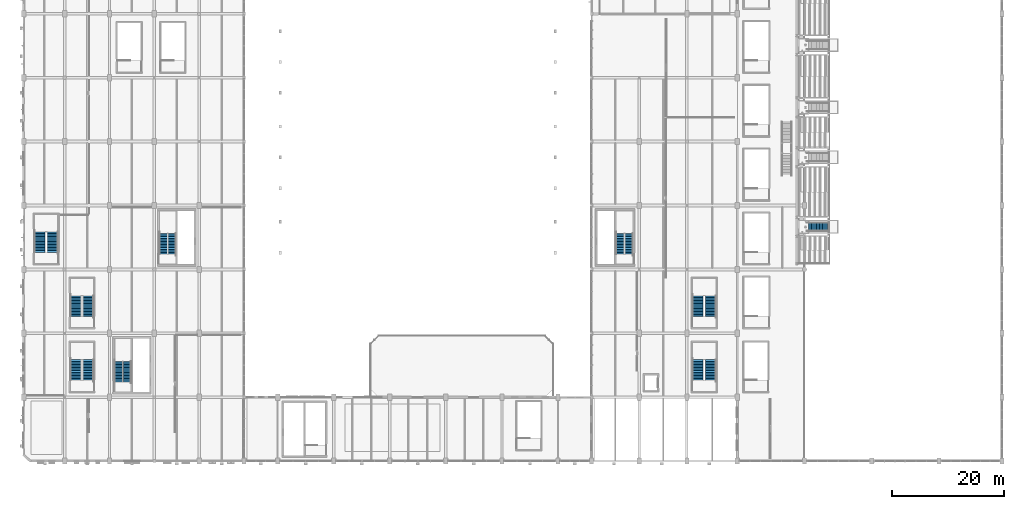
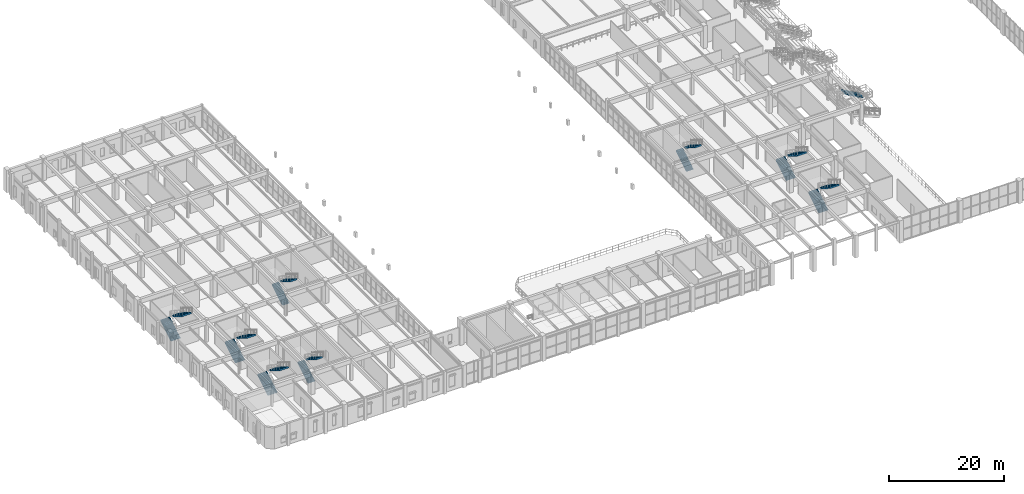
# One storey, part 89 of 106: 17 stair flights, 9 elements without a shape of their own.
"""IFC4 building model written with IfcOpenShell, lengths in metres."""

from ifc_helpers import new_model, si_unit, direction, frame, origin, place, context, subcontext, project, spatial, polyline, outline, extrude, material, type_object, element, aggregate, save


model = new_model("IFC4")

# Units and contexts
model_context = context("Model", 3, precision=1e-05, world=origin(), true_north=direction((0.0, 1.0)))
body_context = subcontext(model_context, "Body", "Model", "MODEL_VIEW")
ifc_project = project(units=[si_unit("LENGTHUNIT", "METRE"), si_unit("AREAUNIT", "SQUARE_METRE"), si_unit("VOLUMEUNIT", "CUBIC_METRE"), si_unit("PLANEANGLEUNIT", "RADIAN"), si_unit("MASSUNIT", "GRAM", prefix="KILO"), si_unit("POWERUNIT", "WATT"), si_unit("THERMODYNAMICTEMPERATUREUNIT", "KELVIN")], contexts=[model_context])

# Site, building, storey
site_placement = place(None, origin())
site = spatial("IfcSite", under=ifc_project, at=site_placement, CompositionType="ELEMENT")
building_placement = place(site_placement, origin())
building = spatial("IfcBuilding", under=site, at=building_placement, Name="Kelmbourne Parkland Aquatics Centre", CompositionType="ELEMENT")
storey_placement = place(building_placement, frame((0.0, 0.0, 5.39990234375)))
storey = spatial("IfcBuildingStorey", under=building, at=storey_placement, Name="L01", CompositionType="ELEMENT", Elevation=5.39990234375)

# Stair, stair flights
ifc_material = material(Name="Concrete C40/50", Category="concrete")
stair_type_1 = type_object("IfcStairType", Name="ST-T03", PredefinedType="HALF_TURN_STAIR", material=ifc_material)
stair_1_placement = place(storey_placement, origin())
stair_1 = element("IfcStair", 1, at=stair_1_placement, inside=storey, type_object=stair_type_1, Name="West Wing South Fire-Fighting Core Stair ST01 (L01)", PredefinedType="HALF_TURN_STAIR")
stair_flight_type_1 = type_object("IfcStairFlightType", Name="STF-T03", PredefinedType="STRAIGHT", material=ifc_material)
stair_flight_1_placement = place(storey_placement, frame((17.61376953125, 14.949951171875, 0.0), z_axis=(0.0, 0.0, 1.0), x_axis=(0.0, 1.0, 0.0)))
stair_flight_1 = element("IfcStairFlight", 2, at=stair_flight_1_placement, type_object=stair_flight_type_1, Name="West Wing South Fire-Fighting Core Stair ST01 lower flight (L01)", NumberOfRisers=14, NumberOfTreads=13, PredefinedType="STRAIGHT", RiserHeight=0.171429, TreadLength=0.28, context=body_context, shape_type="SweptSolid", body=[
    extrude(outline(polyline([(-0.008056640625, 0.0), (-0.008056640625, 0.034912109375), (0.0, 0.034912109375), (0.0, 0.17138671875), (0.280029296875, 0.17138671875), (0.280029296875, 0.3427734375), (0.56005859375, 0.3427734375), (0.56005859375, 0.514404296875), (0.840087890625, 0.514404296875), (0.840087890625, 0.685791015625), (1.1201171875, 0.685791015625), (1.1201171875, 0.857177734375), (1.39990234375, 0.857177734375), (1.39990234375, 1.028564453125), (1.679931640625, 1.028564453125), (1.679931640625, 1.199951171875), (1.9599609375, 1.199951171875), (1.9599609375, 1.371337890625), (2.239990234375, 1.371337890625), (2.239990234375, 1.54296875), (2.52001953125, 1.54296875), (2.52001953125, 1.71435546875), (2.800048828125, 1.71435546875), (2.800048828125, 1.8857421875), (3.080078125, 1.8857421875), (3.080078125, 2.05712890625), (3.360107421875, 2.05712890625), (3.360107421875, 2.228515625), (3.639892578125, 2.228515625), (3.639892578125, 2.39990234375), (3.64794921875, 2.39990234375), (3.64794921875, 2.260009765625), (3.639892578125, 2.041015625), (0.30615234375, 0.0), (-0.008056640625, 0.0)])), frame((0.0, 0.69384765625, 0.0), z_axis=(0.0, -1.0, 0.0), x_axis=(1.0, 0.0, 0.0)), (0.0, 0.0, 1.0), 1.387451171875),
])
stair_flight_2_placement = place(storey_placement, frame((19.1611328125, 18.590087890625, 2.400146484375), z_axis=(0.0, 0.0, 1.0), x_axis=(0.0, -1.0, 0.0)))
stair_flight_2 = element("IfcStairFlight", 3, at=stair_flight_2_placement, type_object=stair_flight_type_1, Name="West Wing South Fire-Fighting Core Stair ST01 upper flight (L01)", NumberOfRisers=14, NumberOfTreads=13, PredefinedType="STRAIGHT", RiserHeight=0.171429, TreadLength=0.28, context=body_context, shape_type="SweptSolid", body=[
    extrude(outline(polyline([(-0.008056640625, 0.0), (-0.008056640625, 0.034912109375), (0.0, 0.034912109375), (0.0, 0.17138671875), (0.280029296875, 0.17138671875), (0.280029296875, 0.3427734375), (0.56005859375, 0.3427734375), (0.56005859375, 0.514404296875), (0.840087890625, 0.514404296875), (0.840087890625, 0.685791015625), (1.1201171875, 0.685791015625), (1.1201171875, 0.857177734375), (1.39990234375, 0.857177734375), (1.39990234375, 1.028564453125), (1.679931640625, 1.028564453125), (1.679931640625, 1.199951171875), (1.9599609375, 1.199951171875), (1.9599609375, 1.371337890625), (2.239990234375, 1.371337890625), (2.239990234375, 1.54296875), (2.52001953125, 1.54296875), (2.52001953125, 1.71435546875), (2.800048828125, 1.71435546875), (2.800048828125, 1.8857421875), (3.080078125, 1.8857421875), (3.080078125, 2.05712890625), (3.360107421875, 2.05712890625), (3.360107421875, 2.228515625), (3.639892578125, 2.228515625), (3.639892578125, 2.39990234375), (3.64794921875, 2.39990234375), (3.64794921875, 2.260009765625), (3.639892578125, 2.041015625), (0.30615234375, 0.0), (-0.008056640625, 0.0)])), frame((0.0, 0.69384765625, 0.0), z_axis=(0.0, -1.0, 0.0), x_axis=(1.0, 0.0, 0.0)), (0.0, 0.0, 1.0), 1.387451171875),
])
aggregate(stair_1, [stair_flight_1, stair_flight_2])

stair_type_2 = type_object("IfcStairType", Name="ST-T08", PredefinedType="HALF_TURN_STAIR", material=ifc_material)
stair_2_placement = place(storey_placement, origin())
stair_2 = element("IfcStair", 4, at=stair_2_placement, inside=storey, type_object=stair_type_2, Name="West Wing North Passenger Core Stair ST02 (L01)", PredefinedType="HALF_TURN_STAIR")
stair_flight_type_2 = type_object("IfcStairFlightType", Name="STF-T08", PredefinedType="STRAIGHT", material=ifc_material)
stair_flight_3_placement = place(storey_placement, frame((25.61376953125, 37.75, 0.0), z_axis=(0.0, 0.0, 1.0), x_axis=(0.0, 1.0, 0.0)))
stair_flight_3 = element("IfcStairFlight", 5, at=stair_flight_3_placement, type_object=stair_flight_type_2, Name="West Wing North Passenger Core Stair ST02 lower flight (L01)", NumberOfRisers=14, NumberOfTreads=13, PredefinedType="STRAIGHT", RiserHeight=0.171429, TreadLength=0.28, context=body_context, shape_type="SweptSolid", body=[
    extrude(outline(polyline([(-0.008056640625, 0.0), (-0.008056640625, 0.034912109375), (0.0, 0.034912109375), (0.0, 0.17138671875), (0.280029296875, 0.17138671875), (0.280029296875, 0.3427734375), (0.56005859375, 0.3427734375), (0.56005859375, 0.514404296875), (0.840087890625, 0.514404296875), (0.840087890625, 0.685791015625), (1.1201171875, 0.685791015625), (1.1201171875, 0.857177734375), (1.39990234375, 0.857177734375), (1.39990234375, 1.028564453125), (1.679931640625, 1.028564453125), (1.679931640625, 1.199951171875), (1.9599609375, 1.199951171875), (1.9599609375, 1.371337890625), (2.239990234375, 1.371337890625), (2.239990234375, 1.54296875), (2.52001953125, 1.54296875), (2.52001953125, 1.71435546875), (2.800048828125, 1.71435546875), (2.800048828125, 1.8857421875), (3.080078125, 1.8857421875), (3.080078125, 2.05712890625), (3.360107421875, 2.05712890625), (3.360107421875, 2.228515625), (3.639892578125, 2.228515625), (3.639892578125, 2.39990234375), (3.64794921875, 2.39990234375), (3.64794921875, 2.260009765625), (3.639892578125, 2.041015625), (0.30615234375, 0.0), (-0.008056640625, 0.0)])), frame((0.0, 0.69384765625, 0.0), z_axis=(0.0, -1.0, 0.0), x_axis=(1.0, 0.0, 0.0)), (0.0, 0.0, 1.0), 1.387451171875),
])
stair_flight_4_placement = place(storey_placement, frame((27.1611328125, 41.389892578125, 2.400146484375), z_axis=(0.0, 0.0, 1.0), x_axis=(0.0, -1.0, 0.0)))
stair_flight_4 = element("IfcStairFlight", 6, at=stair_flight_4_placement, type_object=stair_flight_type_2, Name="West Wing North Passenger Core Stair ST02 upper flight (L01)", NumberOfRisers=14, NumberOfTreads=13, PredefinedType="STRAIGHT", RiserHeight=0.171429, TreadLength=0.28, context=body_context, shape_type="SweptSolid", body=[
    extrude(outline(polyline([(-0.008056640625, 0.0), (-0.008056640625, 0.034912109375), (0.0, 0.034912109375), (0.0, 0.17138671875), (0.280029296875, 0.17138671875), (0.280029296875, 0.3427734375), (0.56005859375, 0.3427734375), (0.56005859375, 0.514404296875), (0.840087890625, 0.514404296875), (0.840087890625, 0.685791015625), (1.1201171875, 0.685791015625), (1.1201171875, 0.857177734375), (1.39990234375, 0.857177734375), (1.39990234375, 1.028564453125), (1.679931640625, 1.028564453125), (1.679931640625, 1.199951171875), (1.9599609375, 1.199951171875), (1.9599609375, 1.371337890625), (2.239990234375, 1.371337890625), (2.239990234375, 1.54296875), (2.52001953125, 1.54296875), (2.52001953125, 1.71435546875), (2.800048828125, 1.71435546875), (2.800048828125, 1.8857421875), (3.080078125, 1.8857421875), (3.080078125, 2.05712890625), (3.360107421875, 2.05712890625), (3.360107421875, 2.228515625), (3.639892578125, 2.228515625), (3.639892578125, 2.39990234375), (3.64794921875, 2.39990234375), (3.64794921875, 2.260009765625), (3.639892578125, 2.041015625), (0.30615234375, 0.0), (-0.008056640625, 0.0)])), frame((0.0, 0.69384765625, 0.0), z_axis=(0.0, -1.0, 0.0), x_axis=(1.0, 0.0, 0.0)), (0.0, 0.0, 1.0), 1.387451171875),
])
aggregate(stair_2, [stair_flight_3, stair_flight_4])

stair_type_3 = type_object("IfcStairType", Name="ST-T14", PredefinedType="HALF_TURN_STAIR", material=ifc_material)
stair_3_placement = place(storey_placement, origin())
stair_3 = element("IfcStair", 7, at=stair_3_placement, inside=storey, type_object=stair_type_3, Name="East Spine Club and Village Core Stair ST04 (L01)", PredefinedType="HALF_TURN_STAIR")
stair_flight_type_3 = type_object("IfcStairFlightType", Name="STF-T14", PredefinedType="STRAIGHT", material=ifc_material)
stair_flight_5_placement = place(storey_placement, frame((107.044921875, 37.75, 0.0), z_axis=(0.0, 0.0, 1.0), x_axis=(0.0, 1.0, 0.0)))
stair_flight_5 = element("IfcStairFlight", 8, at=stair_flight_5_placement, type_object=stair_flight_type_3, Name="East Spine Club and Village Core Stair ST04 lower flight (L01)", NumberOfRisers=14, NumberOfTreads=13, PredefinedType="STRAIGHT", RiserHeight=0.171429, TreadLength=0.28, context=body_context, shape_type="SweptSolid", body=[
    extrude(outline(polyline([(-0.008056640625, 0.0), (-0.008056640625, 0.034912109375), (0.0, 0.034912109375), (0.0, 0.17138671875), (0.280029296875, 0.17138671875), (0.280029296875, 0.3427734375), (0.56005859375, 0.3427734375), (0.56005859375, 0.514404296875), (0.840087890625, 0.514404296875), (0.840087890625, 0.685791015625), (1.1201171875, 0.685791015625), (1.1201171875, 0.857177734375), (1.39990234375, 0.857177734375), (1.39990234375, 1.028564453125), (1.679931640625, 1.028564453125), (1.679931640625, 1.199951171875), (1.9599609375, 1.199951171875), (1.9599609375, 1.371337890625), (2.239990234375, 1.371337890625), (2.239990234375, 1.54296875), (2.52001953125, 1.54296875), (2.52001953125, 1.71435546875), (2.800048828125, 1.71435546875), (2.800048828125, 1.8857421875), (3.080078125, 1.8857421875), (3.080078125, 2.05712890625), (3.360107421875, 2.05712890625), (3.360107421875, 2.228515625), (3.639892578125, 2.228515625), (3.639892578125, 2.39990234375), (3.64794921875, 2.39990234375), (3.64794921875, 2.260009765625), (3.639892578125, 2.041015625), (0.30615234375, 0.0), (-0.008056640625, 0.0)])), frame((0.0, 0.699951171875, 0.0), z_axis=(0.0, -1.0, 0.0), x_axis=(1.0, 0.0, 0.0)), (0.0, 0.0, 1.0), 1.39990234375),
])
stair_flight_6_placement = place(storey_placement, frame((108.679931640625, 41.389892578125, 2.400146484375), z_axis=(0.0, 0.0, 1.0), x_axis=(0.0, -1.0, 0.0)))
stair_flight_6 = element("IfcStairFlight", 9, at=stair_flight_6_placement, type_object=stair_flight_type_3, Name="East Spine Club and Village Core Stair ST04 upper flight (L01)", NumberOfRisers=14, NumberOfTreads=13, PredefinedType="STRAIGHT", RiserHeight=0.171429, TreadLength=0.28, context=body_context, shape_type="SweptSolid", body=[
    extrude(outline(polyline([(-0.008056640625, 0.0), (-0.008056640625, 0.034912109375), (0.0, 0.034912109375), (0.0, 0.17138671875), (0.280029296875, 0.17138671875), (0.280029296875, 0.3427734375), (0.56005859375, 0.3427734375), (0.56005859375, 0.514404296875), (0.840087890625, 0.514404296875), (0.840087890625, 0.685791015625), (1.1201171875, 0.685791015625), (1.1201171875, 0.857177734375), (1.39990234375, 0.857177734375), (1.39990234375, 1.028564453125), (1.679931640625, 1.028564453125), (1.679931640625, 1.199951171875), (1.9599609375, 1.199951171875), (1.9599609375, 1.371337890625), (2.239990234375, 1.371337890625), (2.239990234375, 1.54296875), (2.52001953125, 1.54296875), (2.52001953125, 1.71435546875), (2.800048828125, 1.71435546875), (2.800048828125, 1.8857421875), (3.080078125, 1.8857421875), (3.080078125, 2.05712890625), (3.360107421875, 2.05712890625), (3.360107421875, 2.228515625), (3.639892578125, 2.228515625), (3.639892578125, 2.39990234375), (3.64794921875, 2.39990234375), (3.64794921875, 2.260009765625), (3.639892578125, 2.041015625), (0.30615234375, 0.0), (-0.008056640625, 0.0)])), frame((0.0, 0.699951171875, 0.0), z_axis=(0.0, -1.0, 0.0), x_axis=(1.0, 0.0, 0.0)), (0.0, 0.0, 1.0), 1.39990234375),
])
aggregate(stair_3, [stair_flight_5, stair_flight_6])

stair_type_4 = type_object("IfcStairType", Name="ST-T22", PredefinedType="HALF_TURN_STAIR", material=ifc_material)
stair_4_placement = place(storey_placement, origin())
stair_4 = element("IfcStair", 10, at=stair_4_placement, inside=storey, type_object=stair_type_4, Name="West South Perimeter Exit Stair (L01)", PredefinedType="HALF_TURN_STAIR")
stair_flight_type_4 = type_object("IfcStairFlightType", Name="STF-T22", PredefinedType="STRAIGHT", material=ifc_material)
stair_flight_7_placement = place(storey_placement, frame((9.969970703125, 15.25, 0.0), z_axis=(0.0, 0.0, 1.0), x_axis=(0.0, 1.0, 0.0)))
stair_flight_7 = element("IfcStairFlight", 11, at=stair_flight_7_placement, type_object=stair_flight_type_4, Name="West South Perimeter Exit Stair lower flight (L01)", NumberOfRisers=14, NumberOfTreads=13, PredefinedType="STRAIGHT", RiserHeight=0.171429, TreadLength=0.28, context=body_context, shape_type="SweptSolid", body=[
    extrude(outline(polyline([(-0.008056640625, 0.0), (-0.008056640625, 0.034912109375), (0.0, 0.034912109375), (0.0, 0.17138671875), (0.280029296875, 0.17138671875), (0.280029296875, 0.3427734375), (0.56005859375, 0.3427734375), (0.56005859375, 0.514404296875), (0.840087890625, 0.514404296875), (0.840087890625, 0.685791015625), (1.1201171875, 0.685791015625), (1.1201171875, 0.857177734375), (1.39990234375, 0.857177734375), (1.39990234375, 1.028564453125), (1.679931640625, 1.028564453125), (1.679931640625, 1.199951171875), (1.9599609375, 1.199951171875), (1.9599609375, 1.371337890625), (2.239990234375, 1.371337890625), (2.239990234375, 1.54296875), (2.52001953125, 1.54296875), (2.52001953125, 1.71435546875), (2.800048828125, 1.71435546875), (2.800048828125, 1.8857421875), (3.080078125, 1.8857421875), (3.080078125, 2.05712890625), (3.360107421875, 2.05712890625), (3.360107421875, 2.228515625), (3.639892578125, 2.228515625), (3.639892578125, 2.39990234375), (3.64794921875, 2.39990234375), (3.64794921875, 2.260009765625), (3.639892578125, 2.041015625), (0.30615234375, 0.0), (-0.008056640625, 0.0)])), frame((0.0, 0.949951171875, 0.0), z_axis=(0.0, -1.0, 0.0), x_axis=(1.0, 0.0, 0.0)), (0.0, 0.0, 1.0), 1.89990234375),
])
stair_flight_8_placement = place(storey_placement, frame((12.22998046875, 18.889892578125, 2.400146484375), z_axis=(0.0, 0.0, 1.0), x_axis=(0.0, -1.0, 0.0)))
stair_flight_8 = element("IfcStairFlight", 12, at=stair_flight_8_placement, type_object=stair_flight_type_4, Name="West South Perimeter Exit Stair upper flight (L01)", NumberOfRisers=14, NumberOfTreads=13, PredefinedType="STRAIGHT", RiserHeight=0.171429, TreadLength=0.28, context=body_context, shape_type="SweptSolid", body=[
    extrude(outline(polyline([(-0.008056640625, 0.0), (-0.008056640625, 0.034912109375), (0.0, 0.034912109375), (0.0, 0.17138671875), (0.280029296875, 0.17138671875), (0.280029296875, 0.3427734375), (0.56005859375, 0.3427734375), (0.56005859375, 0.514404296875), (0.840087890625, 0.514404296875), (0.840087890625, 0.685791015625), (1.1201171875, 0.685791015625), (1.1201171875, 0.857177734375), (1.39990234375, 0.857177734375), (1.39990234375, 1.028564453125), (1.679931640625, 1.028564453125), (1.679931640625, 1.199951171875), (1.9599609375, 1.199951171875), (1.9599609375, 1.371337890625), (2.239990234375, 1.371337890625), (2.239990234375, 1.54296875), (2.52001953125, 1.54296875), (2.52001953125, 1.71435546875), (2.800048828125, 1.71435546875), (2.800048828125, 1.8857421875), (3.080078125, 1.8857421875), (3.080078125, 2.05712890625), (3.360107421875, 2.05712890625), (3.360107421875, 2.228515625), (3.639892578125, 2.228515625), (3.639892578125, 2.39990234375), (3.64794921875, 2.39990234375), (3.64794921875, 2.260009765625), (3.639892578125, 2.041015625), (0.30615234375, 0.0), (-0.008056640625, 0.0)])), frame((0.0, 0.949951171875, 0.0), z_axis=(0.0, -1.0, 0.0), x_axis=(1.0, 0.0, 0.0)), (0.0, 0.0, 1.0), 1.89990234375),
])
aggregate(stair_4, [stair_flight_7, stair_flight_8])

stair_type_5 = type_object("IfcStairType", Name="ST-T26", PredefinedType="HALF_TURN_STAIR", material=ifc_material)
stair_5_placement = place(storey_placement, origin())
stair_5 = element("IfcStair", 13, at=stair_5_placement, inside=storey, type_object=stair_type_5, Name="West Central Park Exit Stair (L01)", PredefinedType="HALF_TURN_STAIR")
stair_flight_type_5 = type_object("IfcStairFlightType", Name="STF-T26", PredefinedType="STRAIGHT", material=ifc_material)
stair_flight_9_placement = place(storey_placement, frame((9.969970703125, 26.64990234375, 0.0), z_axis=(0.0, 0.0, 1.0), x_axis=(0.0, 1.0, 0.0)))
stair_flight_9 = element("IfcStairFlight", 14, at=stair_flight_9_placement, type_object=stair_flight_type_5, Name="West Central Park Exit Stair lower flight (L01)", NumberOfRisers=14, NumberOfTreads=13, PredefinedType="STRAIGHT", RiserHeight=0.171429, TreadLength=0.28, context=body_context, shape_type="SweptSolid", body=[
    extrude(outline(polyline([(-0.008056640625, 0.0), (-0.008056640625, 0.034912109375), (0.0, 0.034912109375), (0.0, 0.17138671875), (0.280029296875, 0.17138671875), (0.280029296875, 0.3427734375), (0.56005859375, 0.3427734375), (0.56005859375, 0.514404296875), (0.840087890625, 0.514404296875), (0.840087890625, 0.685791015625), (1.1201171875, 0.685791015625), (1.1201171875, 0.857177734375), (1.39990234375, 0.857177734375), (1.39990234375, 1.028564453125), (1.679931640625, 1.028564453125), (1.679931640625, 1.199951171875), (1.9599609375, 1.199951171875), (1.9599609375, 1.371337890625), (2.239990234375, 1.371337890625), (2.239990234375, 1.54296875), (2.52001953125, 1.54296875), (2.52001953125, 1.71435546875), (2.800048828125, 1.71435546875), (2.800048828125, 1.8857421875), (3.080078125, 1.8857421875), (3.080078125, 2.05712890625), (3.360107421875, 2.05712890625), (3.360107421875, 2.228515625), (3.639892578125, 2.228515625), (3.639892578125, 2.39990234375), (3.64794921875, 2.39990234375), (3.64794921875, 2.260009765625), (3.639892578125, 2.041015625), (0.30615234375, 0.0), (-0.008056640625, 0.0)])), frame((0.0, 0.949951171875, 0.0), z_axis=(0.0, -1.0, 0.0), x_axis=(1.0, 0.0, 0.0)), (0.0, 0.0, 1.0), 1.89990234375),
])
stair_flight_10_placement = place(storey_placement, frame((12.22998046875, 30.2900390625, 2.400146484375), z_axis=(0.0, 0.0, 1.0), x_axis=(0.0, -1.0, 0.0)))
stair_flight_10 = element("IfcStairFlight", 15, at=stair_flight_10_placement, type_object=stair_flight_type_5, Name="West Central Park Exit Stair upper flight (L01)", NumberOfRisers=14, NumberOfTreads=13, PredefinedType="STRAIGHT", RiserHeight=0.171429, TreadLength=0.28, context=body_context, shape_type="SweptSolid", body=[
    extrude(outline(polyline([(-0.008056640625, 0.0), (-0.008056640625, 0.034912109375), (0.0, 0.034912109375), (0.0, 0.17138671875), (0.280029296875, 0.17138671875), (0.280029296875, 0.3427734375), (0.56005859375, 0.3427734375), (0.56005859375, 0.514404296875), (0.840087890625, 0.514404296875), (0.840087890625, 0.685791015625), (1.1201171875, 0.685791015625), (1.1201171875, 0.857177734375), (1.39990234375, 0.857177734375), (1.39990234375, 1.028564453125), (1.679931640625, 1.028564453125), (1.679931640625, 1.199951171875), (1.9599609375, 1.199951171875), (1.9599609375, 1.371337890625), (2.239990234375, 1.371337890625), (2.239990234375, 1.54296875), (2.52001953125, 1.54296875), (2.52001953125, 1.71435546875), (2.800048828125, 1.71435546875), (2.800048828125, 1.8857421875), (3.080078125, 1.8857421875), (3.080078125, 2.05712890625), (3.360107421875, 2.05712890625), (3.360107421875, 2.228515625), (3.639892578125, 2.228515625), (3.639892578125, 2.39990234375), (3.64794921875, 2.39990234375), (3.64794921875, 2.260009765625), (3.639892578125, 2.041015625), (0.30615234375, 0.0), (-0.008056640625, 0.0)])), frame((0.0, 0.949951171875, 0.0), z_axis=(0.0, -1.0, 0.0), x_axis=(1.0, 0.0, 0.0)), (0.0, 0.0, 1.0), 1.89990234375),
])
aggregate(stair_5, [stair_flight_9, stair_flight_10])

stair_type_6 = type_object("IfcStairType", Name="ST-T29", PredefinedType="HALF_TURN_STAIR", material=ifc_material)
stair_6_placement = place(storey_placement, origin())
stair_6 = element("IfcStair", 16, at=stair_6_placement, inside=storey, type_object=stair_type_6, Name="West Hydrotherapy Exit Stair (L01)", PredefinedType="HALF_TURN_STAIR")
stair_flight_type_6 = type_object("IfcStairFlightType", Name="STF-T29", PredefinedType="STRAIGHT", material=ifc_material)
stair_flight_11_placement = place(storey_placement, frame((3.570068359375, 38.050048828125, 0.0), z_axis=(0.0, 0.0, 1.0), x_axis=(0.0, 1.0, 0.0)))
stair_flight_11 = element("IfcStairFlight", 17, at=stair_flight_11_placement, type_object=stair_flight_type_6, Name="West Hydrotherapy Exit Stair lower flight (L01)", NumberOfRisers=14, NumberOfTreads=13, PredefinedType="STRAIGHT", RiserHeight=0.171429, TreadLength=0.28, context=body_context, shape_type="SweptSolid", body=[
    extrude(outline(polyline([(-0.008056640625, 0.0), (-0.008056640625, 0.034912109375), (0.0, 0.034912109375), (0.0, 0.17138671875), (0.280029296875, 0.17138671875), (0.280029296875, 0.3427734375), (0.56005859375, 0.3427734375), (0.56005859375, 0.514404296875), (0.840087890625, 0.514404296875), (0.840087890625, 0.685791015625), (1.1201171875, 0.685791015625), (1.1201171875, 0.857177734375), (1.39990234375, 0.857177734375), (1.39990234375, 1.028564453125), (1.679931640625, 1.028564453125), (1.679931640625, 1.199951171875), (1.9599609375, 1.199951171875), (1.9599609375, 1.371337890625), (2.239990234375, 1.371337890625), (2.239990234375, 1.54296875), (2.52001953125, 1.54296875), (2.52001953125, 1.71435546875), (2.800048828125, 1.71435546875), (2.800048828125, 1.8857421875), (3.080078125, 1.8857421875), (3.080078125, 2.05712890625), (3.360107421875, 2.05712890625), (3.360107421875, 2.228515625), (3.639892578125, 2.228515625), (3.639892578125, 2.39990234375), (3.64794921875, 2.39990234375), (3.64794921875, 2.260009765625), (3.639892578125, 2.041015625), (0.30615234375, 0.0), (-0.008056640625, 0.0)])), frame((0.0, 0.949951171875, 0.0), z_axis=(0.0, -1.0, 0.0), x_axis=(1.0, 0.0, 0.0)), (0.0, 0.0, 1.0), 1.89990234375),
])
stair_flight_12_placement = place(storey_placement, frame((5.830078125, 41.68994140625, 2.400146484375), z_axis=(0.0, 0.0, 1.0), x_axis=(0.0, -1.0, 0.0)))
stair_flight_12 = element("IfcStairFlight", 18, at=stair_flight_12_placement, type_object=stair_flight_type_6, Name="West Hydrotherapy Exit Stair upper flight (L01)", NumberOfRisers=14, NumberOfTreads=13, PredefinedType="STRAIGHT", RiserHeight=0.171429, TreadLength=0.28, context=body_context, shape_type="SweptSolid", body=[
    extrude(outline(polyline([(-0.008056640625, 0.0), (-0.008056640625, 0.034912109375), (0.0, 0.034912109375), (0.0, 0.17138671875), (0.280029296875, 0.17138671875), (0.280029296875, 0.3427734375), (0.56005859375, 0.3427734375), (0.56005859375, 0.514404296875), (0.840087890625, 0.514404296875), (0.840087890625, 0.685791015625), (1.1201171875, 0.685791015625), (1.1201171875, 0.857177734375), (1.39990234375, 0.857177734375), (1.39990234375, 1.028564453125), (1.679931640625, 1.028564453125), (1.679931640625, 1.199951171875), (1.9599609375, 1.199951171875), (1.9599609375, 1.371337890625), (2.239990234375, 1.371337890625), (2.239990234375, 1.54296875), (2.52001953125, 1.54296875), (2.52001953125, 1.71435546875), (2.800048828125, 1.71435546875), (2.800048828125, 1.8857421875), (3.080078125, 1.8857421875), (3.080078125, 2.05712890625), (3.360107421875, 2.05712890625), (3.360107421875, 2.228515625), (3.639892578125, 2.228515625), (3.639892578125, 2.39990234375), (3.64794921875, 2.39990234375), (3.64794921875, 2.260009765625), (3.639892578125, 2.041015625), (0.30615234375, 0.0), (-0.008056640625, 0.0)])), frame((0.0, 0.949951171875, 0.0), z_axis=(0.0, -1.0, 0.0), x_axis=(1.0, 0.0, 0.0)), (0.0, 0.0, 1.0), 1.89990234375),
])
aggregate(stair_6, [stair_flight_11, stair_flight_12])

stair_type_7 = type_object("IfcStairType", Name="ST-T32", PredefinedType="HALF_TURN_STAIR", material=ifc_material)
stair_7_placement = place(storey_placement, origin())
stair_7 = element("IfcStair", 19, at=stair_7_placement, inside=storey, type_object=stair_type_7, Name="South East Concourse Exit Stair (L01)", PredefinedType="HALF_TURN_STAIR")
stair_flight_type_7 = type_object("IfcStairFlightType", Name="STF-T32", PredefinedType="STRAIGHT", material=ifc_material)
stair_flight_13_placement = place(storey_placement, frame((120.969970703125, 15.25, 0.0), z_axis=(0.0, 0.0, 1.0), x_axis=(0.0, 1.0, 0.0)))
stair_flight_13 = element("IfcStairFlight", 20, at=stair_flight_13_placement, type_object=stair_flight_type_7, Name="South East Concourse Exit Stair lower flight (L01)", NumberOfRisers=14, NumberOfTreads=13, PredefinedType="STRAIGHT", RiserHeight=0.171429, TreadLength=0.28, context=body_context, shape_type="SweptSolid", body=[
    extrude(outline(polyline([(-0.008056640625, 0.0), (-0.008056640625, 0.034912109375), (0.0, 0.034912109375), (0.0, 0.17138671875), (0.280029296875, 0.17138671875), (0.280029296875, 0.3427734375), (0.56005859375, 0.3427734375), (0.56005859375, 0.514404296875), (0.840087890625, 0.514404296875), (0.840087890625, 0.685791015625), (1.1201171875, 0.685791015625), (1.1201171875, 0.857177734375), (1.39990234375, 0.857177734375), (1.39990234375, 1.028564453125), (1.679931640625, 1.028564453125), (1.679931640625, 1.199951171875), (1.9599609375, 1.199951171875), (1.9599609375, 1.371337890625), (2.239990234375, 1.371337890625), (2.239990234375, 1.54296875), (2.52001953125, 1.54296875), (2.52001953125, 1.71435546875), (2.800048828125, 1.71435546875), (2.800048828125, 1.8857421875), (3.080078125, 1.8857421875), (3.080078125, 2.05712890625), (3.360107421875, 2.05712890625), (3.360107421875, 2.228515625), (3.639892578125, 2.228515625), (3.639892578125, 2.39990234375), (3.64794921875, 2.39990234375), (3.64794921875, 2.260009765625), (3.639892578125, 2.041015625), (0.30615234375, 0.0), (-0.008056640625, 0.0)])), frame((0.0, 0.949951171875, 0.0), z_axis=(0.0, -1.0, 0.0), x_axis=(1.0, 0.0, 0.0)), (0.0, 0.0, 1.0), 1.89990234375),
])
stair_flight_14_placement = place(storey_placement, frame((123.22998046875, 18.889892578125, 2.400146484375), z_axis=(0.0, 0.0, 1.0), x_axis=(0.0, -1.0, 0.0)))
stair_flight_14 = element("IfcStairFlight", 21, at=stair_flight_14_placement, type_object=stair_flight_type_7, Name="South East Concourse Exit Stair upper flight (L01)", NumberOfRisers=14, NumberOfTreads=13, PredefinedType="STRAIGHT", RiserHeight=0.171429, TreadLength=0.28, context=body_context, shape_type="SweptSolid", body=[
    extrude(outline(polyline([(-0.008056640625, 0.0), (-0.008056640625, 0.034912109375), (0.0, 0.034912109375), (0.0, 0.17138671875), (0.280029296875, 0.17138671875), (0.280029296875, 0.3427734375), (0.56005859375, 0.3427734375), (0.56005859375, 0.514404296875), (0.840087890625, 0.514404296875), (0.840087890625, 0.685791015625), (1.1201171875, 0.685791015625), (1.1201171875, 0.857177734375), (1.39990234375, 0.857177734375), (1.39990234375, 1.028564453125), (1.679931640625, 1.028564453125), (1.679931640625, 1.199951171875), (1.9599609375, 1.199951171875), (1.9599609375, 1.371337890625), (2.239990234375, 1.371337890625), (2.239990234375, 1.54296875), (2.52001953125, 1.54296875), (2.52001953125, 1.71435546875), (2.800048828125, 1.71435546875), (2.800048828125, 1.8857421875), (3.080078125, 1.8857421875), (3.080078125, 2.05712890625), (3.360107421875, 2.05712890625), (3.360107421875, 2.228515625), (3.639892578125, 2.228515625), (3.639892578125, 2.39990234375), (3.64794921875, 2.39990234375), (3.64794921875, 2.260009765625), (3.639892578125, 2.041015625), (0.30615234375, 0.0), (-0.008056640625, 0.0)])), frame((0.0, 0.949951171875, 0.0), z_axis=(0.0, -1.0, 0.0), x_axis=(1.0, 0.0, 0.0)), (0.0, 0.0, 1.0), 1.89990234375),
])
aggregate(stair_7, [stair_flight_13, stair_flight_14])

stair_type_8 = type_object("IfcStairType", Name="ST-T39", PredefinedType="HALF_TURN_STAIR", material=ifc_material)
stair_8_placement = place(storey_placement, origin())
stair_8 = element("IfcStair", 22, at=stair_8_placement, inside=storey, type_object=stair_type_8, Name="East Club Terrace Exit Stair (L01)", PredefinedType="HALF_TURN_STAIR")
stair_flight_type_8 = type_object("IfcStairFlightType", Name="STF-T39", PredefinedType="STRAIGHT", material=ifc_material)
stair_flight_15_placement = place(storey_placement, frame((120.969970703125, 26.64990234375, 0.0), z_axis=(0.0, 0.0, 1.0), x_axis=(0.0, 1.0, 0.0)))
stair_flight_15 = element("IfcStairFlight", 23, at=stair_flight_15_placement, type_object=stair_flight_type_8, Name="East Club Terrace Exit Stair lower flight (L01)", NumberOfRisers=14, NumberOfTreads=13, PredefinedType="STRAIGHT", RiserHeight=0.171429, TreadLength=0.28, context=body_context, shape_type="SweptSolid", body=[
    extrude(outline(polyline([(-0.008056640625, 0.0), (-0.008056640625, 0.034912109375), (0.0, 0.034912109375), (0.0, 0.17138671875), (0.280029296875, 0.17138671875), (0.280029296875, 0.3427734375), (0.56005859375, 0.3427734375), (0.56005859375, 0.514404296875), (0.840087890625, 0.514404296875), (0.840087890625, 0.685791015625), (1.1201171875, 0.685791015625), (1.1201171875, 0.857177734375), (1.39990234375, 0.857177734375), (1.39990234375, 1.028564453125), (1.679931640625, 1.028564453125), (1.679931640625, 1.199951171875), (1.9599609375, 1.199951171875), (1.9599609375, 1.371337890625), (2.239990234375, 1.371337890625), (2.239990234375, 1.54296875), (2.52001953125, 1.54296875), (2.52001953125, 1.71435546875), (2.800048828125, 1.71435546875), (2.800048828125, 1.8857421875), (3.080078125, 1.8857421875), (3.080078125, 2.05712890625), (3.360107421875, 2.05712890625), (3.360107421875, 2.228515625), (3.639892578125, 2.228515625), (3.639892578125, 2.39990234375), (3.64794921875, 2.39990234375), (3.64794921875, 2.260009765625), (3.639892578125, 2.041015625), (0.30615234375, 0.0), (-0.008056640625, 0.0)])), frame((0.0, 0.949951171875, 0.0), z_axis=(0.0, -1.0, 0.0), x_axis=(1.0, 0.0, 0.0)), (0.0, 0.0, 1.0), 1.89990234375),
])
stair_flight_16_placement = place(storey_placement, frame((123.22998046875, 30.2900390625, 2.400146484375), z_axis=(0.0, 0.0, 1.0), x_axis=(0.0, -1.0, 0.0)))
stair_flight_16 = element("IfcStairFlight", 24, at=stair_flight_16_placement, type_object=stair_flight_type_8, Name="East Club Terrace Exit Stair upper flight (L01)", NumberOfRisers=14, NumberOfTreads=13, PredefinedType="STRAIGHT", RiserHeight=0.171429, TreadLength=0.28, context=body_context, shape_type="SweptSolid", body=[
    extrude(outline(polyline([(-0.008056640625, 0.0), (-0.008056640625, 0.034912109375), (0.0, 0.034912109375), (0.0, 0.17138671875), (0.280029296875, 0.17138671875), (0.280029296875, 0.3427734375), (0.56005859375, 0.3427734375), (0.56005859375, 0.514404296875), (0.840087890625, 0.514404296875), (0.840087890625, 0.685791015625), (1.1201171875, 0.685791015625), (1.1201171875, 0.857177734375), (1.39990234375, 0.857177734375), (1.39990234375, 1.028564453125), (1.679931640625, 1.028564453125), (1.679931640625, 1.199951171875), (1.9599609375, 1.199951171875), (1.9599609375, 1.371337890625), (2.239990234375, 1.371337890625), (2.239990234375, 1.54296875), (2.52001953125, 1.54296875), (2.52001953125, 1.71435546875), (2.800048828125, 1.71435546875), (2.800048828125, 1.8857421875), (3.080078125, 1.8857421875), (3.080078125, 2.05712890625), (3.360107421875, 2.05712890625), (3.360107421875, 2.228515625), (3.639892578125, 2.228515625), (3.639892578125, 2.39990234375), (3.64794921875, 2.39990234375), (3.64794921875, 2.260009765625), (3.639892578125, 2.041015625), (0.30615234375, 0.0), (-0.008056640625, 0.0)])), frame((0.0, 0.949951171875, 0.0), z_axis=(0.0, -1.0, 0.0), x_axis=(1.0, 0.0, 0.0)), (0.0, 0.0, 1.0), 1.89990234375),
])
aggregate(stair_8, [stair_flight_15, stair_flight_16])

# Stair, stair flight
stair_type_9 = type_object("IfcStairType", Name="ST-VM01", PredefinedType="STRAIGHT_RUN_STAIR", material=ifc_material)
stair_9_placement = place(storey_placement, origin())
stair_9 = element("IfcStair", 25, at=stair_9_placement, inside=storey, type_object=stair_type_9, Name="Spectator Vomitory Stair 1", PredefinedType="STRAIGHT_RUN_STAIR")
stair_flight_type_9 = type_object("IfcStairFlightType", Name="STF-VM01", PredefinedType="STRAIGHT", material=ifc_material)
stair_flight_17_placement = place(storey_placement, frame((144.340087890625, 42.60009765625, 0.0), z_axis=(0.0, 0.0, 1.0), x_axis=(-1.0, 0.0, 0.0)))
stair_flight_17 = element("IfcStairFlight", 26, at=stair_flight_17_placement, type_object=stair_flight_type_9, Name="Spectator Vomitory Stair 1 flight", NumberOfRisers=14, NumberOfTreads=13, PredefinedType="STRAIGHT", RiserHeight=0.160714, TreadLength=0.28, context=body_context, shape_type="SweptSolid", body=[
    extrude(outline(polyline([(-0.008056640625, 0.0), (-0.008056640625, 0.034912109375), (0.0, 0.034912109375), (0.0, 0.16064453125), (0.280029296875, 0.16064453125), (0.280029296875, 0.321533203125), (0.56005859375, 0.321533203125), (0.56005859375, 0.482177734375), (0.840087890625, 0.482177734375), (0.840087890625, 0.642822265625), (1.1201171875, 0.642822265625), (1.1201171875, 0.803466796875), (1.39990234375, 0.803466796875), (1.39990234375, 0.96435546875), (1.679931640625, 0.96435546875), (1.679931640625, 1.125), (1.9599609375, 1.125), (1.9599609375, 1.28564453125), (2.239990234375, 1.28564453125), (2.239990234375, 1.446533203125), (2.52001953125, 1.446533203125), (2.52001953125, 1.607177734375), (2.800048828125, 1.607177734375), (2.800048828125, 1.767822265625), (3.080078125, 1.767822265625), (3.080078125, 1.928466796875), (3.360107421875, 1.928466796875), (3.360107421875, 2.08935546875), (3.639892578125, 2.08935546875), (3.639892578125, 2.25), (3.64794921875, 2.25), (3.64794921875, 2.110107421875), (3.639892578125, 1.90478515625), (0.3212890625, 0.0), (-0.008056640625, 0.0)])), frame((0.0, 0.75, 0.0), z_axis=(0.0, -1.0, 0.0), x_axis=(1.0, 0.0, 0.0)), (0.0, 0.0, 1.0), 1.5),
])
aggregate(stair_9, [stair_flight_17])

save(model, "model.ifc")
